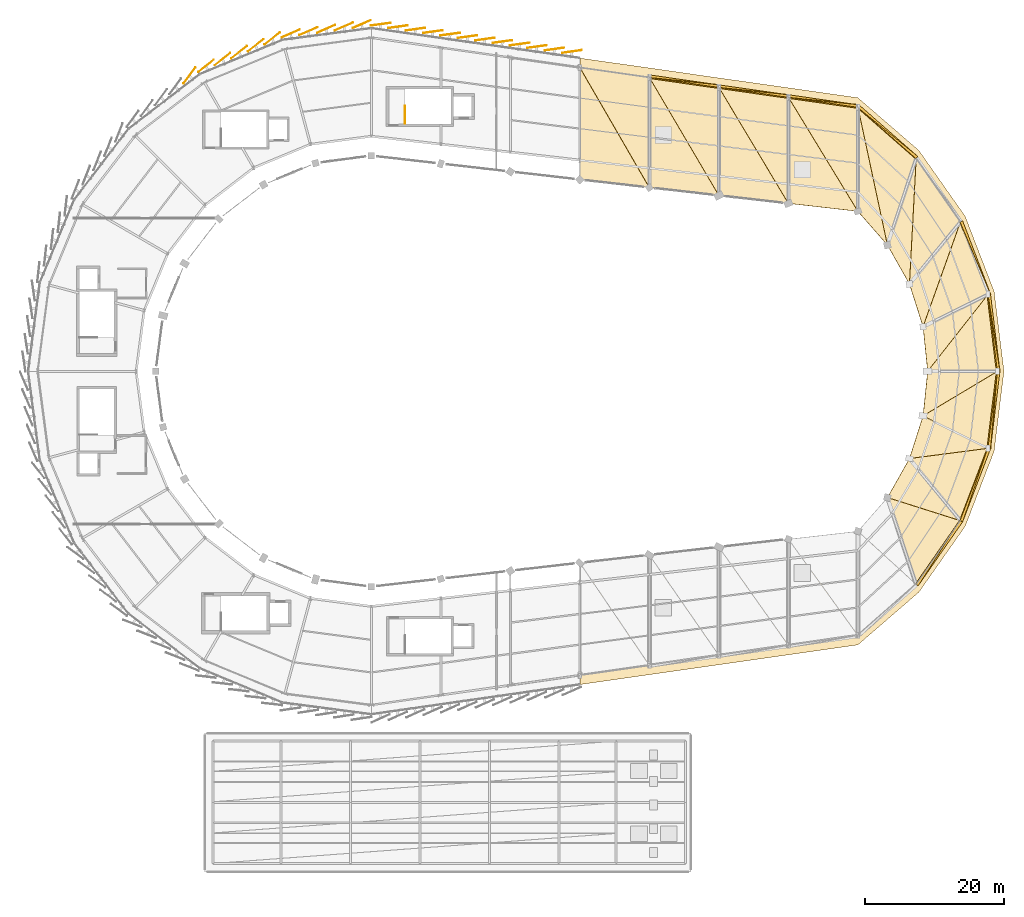
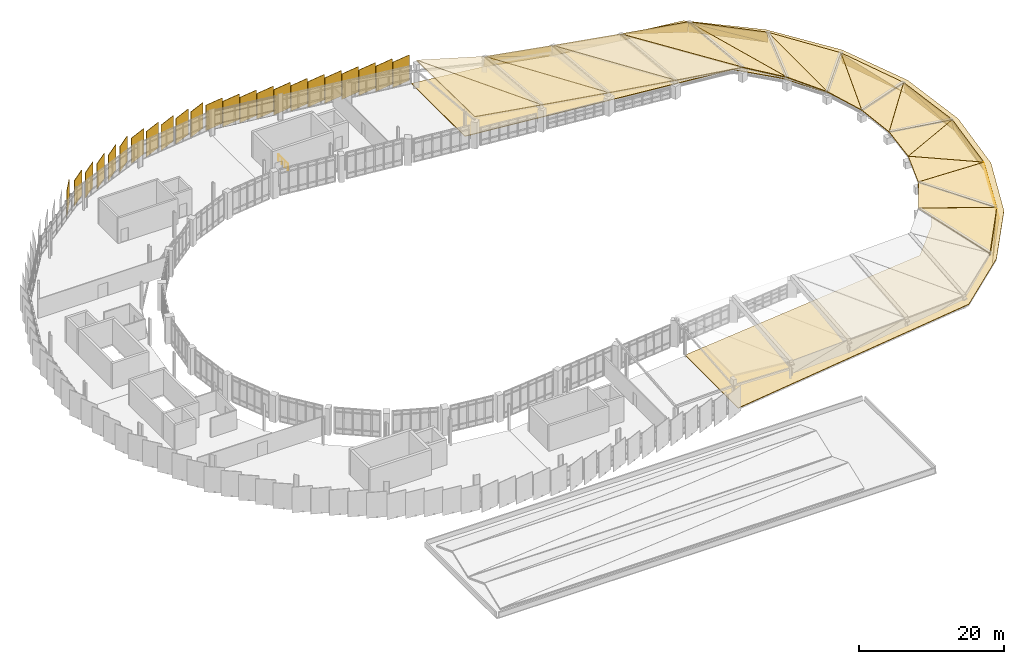
# One storey, part 66 of 67: 63 coverings, 1 railing.
"""IFC4 building model written with IfcOpenShell, lengths in metres."""

from ifc_helpers import new_model, si_unit, direction, frame, origin, origin_2d, place, context, subcontext, project, spatial, polyline, rectangle, circle, outline, extrude, material, layer, layer_set, type_object, element, save


model = new_model("IFC4")

# Units and contexts
model_context = context("Model", 3, precision=1e-05, world=origin(), true_north=direction((0.0, 1.0)))
body_context = subcontext(model_context, "Body", "Model", "MODEL_VIEW")
ifc_project = project(units=[si_unit("LENGTHUNIT", "METRE"), si_unit("AREAUNIT", "SQUARE_METRE"), si_unit("VOLUMEUNIT", "CUBIC_METRE"), si_unit("PLANEANGLEUNIT", "RADIAN"), si_unit("MASSUNIT", "GRAM", prefix="KILO")], contexts=[model_context])

# Site, building, storey
site_placement = place(None, origin())
site = spatial("IfcSite", under=ifc_project, at=site_placement, CompositionType="ELEMENT")
building_placement = place(site_placement, origin())
building = spatial("IfcBuilding", under=site, at=building_placement, Name="Sohan Crest Arena", CompositionType="ELEMENT")
storey_placement = place(building_placement, frame((0.0, 0.0, 22.5)))
storey = spatial("IfcBuildingStorey", under=building, at=storey_placement, Name="L05", CompositionType="ELEMENT", Elevation=22.5)

# Railing
ifc_material_1 = material(Name="Powder-coated wrought steel balustrade", Category="steel")
railing_type = type_object("IfcRailingType", Name="ARC-GRD-01", PredefinedType="GUARDRAIL", material=ifc_material_1)
railing_placement = place(storey_placement, frame((102.8701171875, 113.6201171875, 0.0)))
element("IfcRailing", 1, at=railing_placement, inside=storey, type_object=railing_type, Name="Top stair landing well guard GRD-040", PredefinedType="GUARDRAIL", context=body_context, shape_type="SweptSolid", body=[
    extrude(circle(Radius=0.02392578125, at=origin_2d()), frame((0.0, 0.0, 1.076171875), z_axis=(0.0, 1.0, 0.0), x_axis=(-1.0, 0.0, 0.0)), (0.0, 0.0, 1.0), 2.559814453125),
    extrude(circle(Radius=0.02099609375, at=origin_2d()), origin(), (0.0, 0.0, 1.0), 1.052001953125),
    extrude(circle(Radius=0.02099609375, at=origin_2d()), frame((0.0, 0.853271484375, 0.0)), (0.0, 0.0, 1.0), 1.052001953125),
    extrude(circle(Radius=0.02099609375, at=origin_2d()), frame((0.0, 1.70654296875, 0.0)), (0.0, 0.0, 1.0), 1.052001953125),
    extrude(circle(Radius=0.02099609375, at=origin_2d()), frame((0.0, 2.559814453125, 0.0)), (0.0, 0.0, 1.0), 1.052001953125),
])

# Coverings
ifc_material_2 = material(Name="Elastomeric EPDM waterproofing membrane")
ifc_layer_1 = layer(ifc_material_2, 0.094970703125, Name="Elastomeric EPDM waterproofing membrane")
ifc_layer_set_1 = layer_set([ifc_layer_1], Name="Elastomeric EPDM waterproofing membrane")
covering_type_1 = type_object("IfcCoveringType", Name="COV-RF1", PredefinedType="ROOFING", material=ifc_layer_set_1)
covering_1_placement = place(storey_placement, origin())
element("IfcCovering", 2, at=covering_1_placement, inside=storey, type_object=covering_type_1, Name="East crescent EPDM roof membrane 1", PredefinedType="ROOFING", context=body_context, shape_type="SweptSolid", body=[
    extrude(outline(polyline([(138.0, 121.635986328125), (148.0, 120.20703125), (158.0, 118.779052734375), (168.0, 117.35009765625), (176.76611328125, 109.778076171875), (183.430908203125, 100.304931640625), (187.596923828125, 89.49609375), (189.013916015625, 78.0), (187.596923828125, 66.50390625), (183.430908203125, 55.695068359375), (176.76611328125, 46.221923828125), (168.0, 38.64990234375), (158.0, 37.220947265625), (148.0, 35.79296875), (138.0, 34.364013671875), (128.0, 32.93603515625), (128.0, 47.62890625), (138.0, 48.77099609375), (148.0, 49.9140625), (158.0, 51.056884765625), (168.0, 52.199951171875), (172.9609375, 57.547119140625), (176.674072265625, 63.824951171875), (178.971923828125, 70.748046875), (179.75, 78.0), (178.971923828125, 85.251953125), (176.674072265625, 92.175048828125), (172.9609375, 98.452880859375), (168.0, 103.800048828125), (158.0, 104.943115234375), (148.0, 106.0859375), (138.0, 107.22900390625), (128.0, 108.37109375), (128.0, 123.06396484375), (138.0, 121.635986328125)])), origin(), (0.0, 0.0, 1.0), 0.094970703125),
])
ifc_material_3 = material(Name="Standing-seam insulated acoustic roof liner", Category="aluminium")
ifc_layer_2 = layer(ifc_material_3, 0.114990234375, Name="Standing-seam insulated acoustic roof liner")
ifc_layer_set_2 = layer_set([ifc_layer_2], Name="Standing-seam insulated acoustic roof liner")
covering_type_2 = type_object("IfcCoveringType", Name="COV-RF2", PredefinedType="ROOFING", material=ifc_layer_set_2)
covering_2_placement = place(storey_placement, frame((172.2529296875, 59.8349609375, 1.9560546875), z_axis=(0.127044473524, -0.072955891997, 0.989210361637), x_axis=(0.312665423201, -0.943502699254, -0.109740556019)))
element("IfcCovering", 3, at=covering_2_placement, inside=storey, type_object=covering_type_2, Name="Standing-seam acoustic roof covering RF-CV-089", PredefinedType="ROOFING", context=body_context, shape_type="SweptSolid", body=[
    extrude(outline(polyline([(0.0, 0.0), (13.212537137397105, 4.163336342344337e-16), (6.592906589244414, 8.948767846099404), (0.0, 0.0)])), origin(), (0.0, 0.0, -1.0), 0.114990234375),
])
covering_3_placement = place(storey_placement, frame((172.251953125, 59.847900390625, 1.9560546875), z_axis=(0.13419085241, -0.050640488967, 0.989660727728), x_axis=(0.943290796315, -0.299480056995, -0.143227682557)))
element("IfcCovering", 4, at=covering_3_placement, inside=storey, type_object=covering_type_2, Name="Standing-seam acoustic roof covering RF-CV-090", PredefinedType="ROOFING", context=body_context, shape_type="SweptSolid", body=[
    extrude(outline(polyline([(0.0, 0.0), (11.115456085058442, -1.6653345369377348e-16), (1.325057322286341, 6.291207309504855), (0.0, 0.0)])), origin(), (0.0, 0.0, -1.0), 0.114990234375),
])
covering_4_placement = place(storey_placement, frame((175.4208984375, 65.449951171875, 1.81396484375), z_axis=(0.139105678606, -0.046510890274, 0.989184688147), x_axis=(0.629490340351, -0.766955356358, -0.124584881743)))
element("IfcCovering", 5, at=covering_4_placement, inside=storey, type_object=covering_type_2, Name="Standing-seam acoustic roof covering RF-CV-091", PredefinedType="ROOFING", context=body_context, shape_type="SweptSolid", body=[
    extrude(outline(polyline([(0.0, 0.0), (11.638259406670095, 8.187894806610529e-16), (6.169745842371708, 9.693694946342148), (0.0, 0.0)])), origin(), (0.0, 0.0, -1.0), 0.114990234375),
])
covering_5_placement = place(storey_placement, frame((175.41796875, 65.4599609375, 1.81396484375), z_axis=(0.137414945451, -0.032614371166, 0.989976482327), x_axis=(0.982907424815, 0.128112004155, -0.132213118238)))
element("IfcCovering", 6, at=covering_5_placement, inside=storey, type_object=covering_type_2, Name="Standing-seam acoustic roof covering RF-CV-092", PredefinedType="ROOFING", context=body_context, shape_type="SweptSolid", body=[
    extrude(outline(polyline([(0.0, 0.0), (11.48935135180344, 8.326672684688674e-17), (2.7105351830103515, 5.8298917175561815), (0.0, 0.0)])), origin(), (0.0, 0.0, -1.0), 0.114990234375),
])
covering_6_placement = place(storey_placement, frame((177.3759765625, 71.593994140625, 1.7451171875), z_axis=(0.145314355965, -0.0164987956, 0.989247960672), x_axis=(0.886599188246, -0.441596956746, -0.137600898236)))
element("IfcCovering", 7, at=covering_6_placement, inside=storey, type_object=covering_type_2, Name="Standing-seam acoustic roof covering RF-CV-093", PredefinedType="ROOFING", context=body_context, shape_type="SweptSolid", body=[
    extrude(outline(polyline([(0.0, 0.0), (10.539141321700487, -5.412337245047638e-16), (6.858380404179662, 10.503939218909846), (0.0, 0.0)])), origin(), (0.0, 0.0, -1.0), 0.114990234375),
])
covering_7_placement = place(storey_placement, frame((177.37109375, 71.60205078125, 1.7451171875), z_axis=(0.143007994166, -0.012524142479, 0.989642288638), x_axis=(0.85237273713, 0.509742019122, -0.116720996131)))
element("IfcCovering", 8, at=covering_7_placement, inside=storey, type_object=covering_type_2, Name="Standing-seam acoustic roof covering RF-CV-094", PredefinedType="ROOFING", context=body_context, shape_type="SweptSolid", body=[
    extrude(outline(polyline([(0.0, 0.0), (12.543684312622785, 5.967448757360216e-16), (3.821791461219985, 5.168249805138306), (0.0, 0.0)])), origin(), (0.0, 0.0, -1.0), 0.114990234375),
])
covering_8_placement = place(storey_placement, frame((178.035888671875, 78.007080078125, 1.73095703125), z_axis=(0.143010628063, 0.016217409152, 0.989588275952), x_axis=(0.989718434642, 0.0, -0.143029437983)))
element("IfcCovering", 9, at=covering_8_placement, inside=storey, type_object=covering_type_2, Name="Standing-seam acoustic roof covering RF-CV-095", PredefinedType="ROOFING", context=body_context, shape_type="SweptSolid", body=[
    extrude(outline(polyline([(0.0, 0.0), (10.137431792536582, 0.0), (8.80019137559394, 11.049304665698235), (0.0, 0.0)])), origin(), (0.0, 0.0, -1.0), 0.114990234375),
])
covering_9_placement = place(storey_placement, frame((178.028076171875, 78.011962890625, 1.73095703125), z_axis=(0.147072186577, 0.012943686939, 0.989041067349), x_axis=(0.614803289482, 0.782101404406, -0.101657800825)))
element("IfcCovering", 10, at=covering_9_placement, inside=storey, type_object=covering_type_2, Name="Standing-seam acoustic roof covering RF-CV-096", PredefinedType="ROOFING", context=body_context, shape_type="SweptSolid", body=[
    extrude(outline(polyline([(0.0, 0.0), (14.126167835637661, 3.885780586188048e-16), (4.594835147409044, 4.494928919293455), (0.0, 0.0)])), origin(), (0.0, 0.0, -1.0), 0.114990234375),
])
covering_10_placement = place(storey_placement, frame((177.373046875, 84.419921875, 1.7451171875), z_axis=(0.131912586941, 0.043759610086, 0.99029498935), x_axis=(0.886579361833, 0.441633237728, -0.137612203331)))
element("IfcCovering", 11, at=covering_10_placement, inside=storey, type_object=covering_type_2, Name="Standing-seam acoustic roof covering RF-CV-097", PredefinedType="ROOFING", context=body_context, shape_type="SweptSolid", body=[
    extrude(outline(polyline([(0.0, 0.0), (10.538275511861187, 1.0408340855860843e-16), (11.602885124515277, 11.078532913028361), (0.0, 0.0)])), origin(), (0.0, 0.0, -1.0), 0.114990234375),
])
covering_11_placement = place(storey_placement, frame((177.364990234375, 84.4208984375, 1.7451171875), z_axis=(0.150635534702, 0.036844438695, 0.987902537208), x_axis=(0.335102200818, 0.93824050804, -0.086088698911)))
element("IfcCovering", 12, at=covering_11_placement, inside=storey, type_object=covering_type_2, Name="Standing-seam acoustic roof covering RF-CV-098", PredefinedType="ROOFING", context=body_context, shape_type="SweptSolid", body=[
    extrude(outline(polyline([(0.0, 0.0), (16.042796941877057, 6.38378239159465e-16), (5.088508490530834, 3.929975956371845), (0.0, 0.0)])), origin(), (0.0, 0.0, -1.0), 0.114990234375),
])
covering_12_placement = place(storey_placement, frame((175.4150390625, 90.56298828125, 1.81396484375), z_axis=(0.11636679245, 0.065492229965, 0.991044669745), x_axis=(0.629427009349, 0.767005995694, -0.12459310764)))
element("IfcCovering", 13, at=covering_12_placement, inside=storey, type_object=covering_type_2, Name="Standing-seam acoustic roof covering RF-CV-099", PredefinedType="ROOFING", context=body_context, shape_type="SweptSolid", body=[
    extrude(outline(polyline([(0.0, 0.0), (11.637491024497368, 8.465450562766819e-16), (14.629874956847548, 10.720481416639972), (0.0, 0.0)])), origin(), (0.0, 0.0, -1.0), 0.114990234375),
])
covering_13_placement = place(storey_placement, frame((175.407958984375, 90.56103515625, 1.81396484375), z_axis=(0.155902184306, 0.062982607105, 0.985762496817), x_axis=(0.053586992968, 0.995956194354, -0.072108897596)))
element("IfcCovering", 14, at=covering_13_placement, inside=storey, type_object=covering_type_2, Name="Standing-seam acoustic roof covering RF-CV-100", PredefinedType="ROOFING", context=body_context, shape_type="SweptSolid", body=[
    extrude(outline(polyline([(0.0, 0.0), (18.13730859464871, 1.3877787807814457e-16), (5.395687439441597, 3.496895752218442), (0.0, 0.0)])), origin(), (0.0, 0.0, -1.0), 0.114990234375),
])
covering_14_placement = place(storey_placement, frame((172.242919921875, 96.176025390625, 1.9560546875), z_axis=(0.098946176098, 0.082544877682, 0.991663247985), x_axis=(0.312732107103, 0.9434808934, -0.109738019739)))
element("IfcCovering", 15, at=covering_14_placement, inside=storey, type_object=covering_type_2, Name="Standing-seam acoustic roof covering RF-CV-101", PredefinedType="ROOFING", context=body_context, shape_type="SweptSolid", body=[
    extrude(outline(polyline([(0.0, 0.0), (13.212842507285322, 0.0), (17.496665205659617, 10.275117100667863), (0.0, 0.0)])), origin(), (0.0, 0.0, -1.0), 0.114990234375),
])
covering_15_placement = place(storey_placement, frame((172.237060546875, 96.169921875, 1.9560546875), z_axis=(0.160650369955, 0.095153978163, 0.982413955048), x_axis=(-0.208663091837, 0.976119278135, -0.060422420988)))
element("IfcCovering", 16, at=covering_15_placement, inside=storey, type_object=covering_type_2, Name="Standing-seam acoustic roof covering RF-CV-102", PredefinedType="ROOFING", context=body_context, shape_type="SweptSolid", body=[
    extrude(outline(polyline([(0.0, 0.0), (20.29170957886495, 1.3877787807814457e-16), (5.5916230223062895, 3.1795969057297127), (0.0, 0.0)])), origin(), (0.0, 0.0, -1.0), 0.114990234375),
])
covering_16_placement = place(storey_placement, frame((167.992919921875, 101.02099609375, 2.179931640625), z_axis=(0.075310153774, 0.096132383169, 0.99251546368), x_axis=(0.0, 0.9953420779, -0.096406161434)))
element("IfcCovering", 17, at=covering_16_placement, inside=storey, type_object=covering_type_2, Name="Standing-seam acoustic roof covering RF-CV-103", PredefinedType="ROOFING", context=body_context, shape_type="SweptSolid", body=[
    extrude(outline(polyline([(0.0, 0.0), (15.040025972492286, -1.3877787807814457e-17), (16.399720076890546, 10.008402751055169), (0.0, 0.0)])), origin(), (0.0, 0.0, -1.0), 0.114990234375),
])
covering_17_placement = place(storey_placement, frame((167.987060546875, 101.011962890625, 2.179931640625), z_axis=(0.0723787574, 0.09436771805, 0.992902839792), x_axis=(-0.519453317041, 0.853403930374, -0.043243300501)))
element("IfcCovering", 18, at=covering_17_placement, inside=storey, type_object=covering_type_2, Name="Standing-seam acoustic roof covering RF-CV-104", PredefinedType="ROOFING", context=body_context, shape_type="SweptSolid", body=[
    extrude(outline(polyline([(0.0, 0.0), (19.212468457428773, -3.3306690738754696e-16), (6.13035743133817, 7.981351688256557), (0.0, 0.0)])), origin(), (0.0, 0.0, -1.0), 0.114990234375),
])
covering_18_placement = place(storey_placement, frame((157.992919921875, 102.1640625, 2.799072265625), z_axis=(0.083525334158, 0.094285254241, 0.992035185559), x_axis=(0.0, 0.995513855367, -0.09461587484)))
element("IfcCovering", 19, at=covering_18_placement, inside=storey, type_object=covering_type_2, Name="Standing-seam acoustic roof covering RF-CV-105", PredefinedType="ROOFING", context=body_context, shape_type="SweptSolid", body=[
    extrude(outline(polyline([(0.0, 0.0), (15.324607781949823, 0.0), (16.67657515087426, 10.014976260484362), (0.0, 0.0)])), origin(), (0.0, 0.0, -1.0), 0.114990234375),
])
covering_19_placement = place(storey_placement, frame((157.987060546875, 102.155029296875, 2.799072265625), z_axis=(0.080676165363, 0.092603657975, 0.9924293017), x_axis=(-0.51306015188, 0.85749749588, -0.038305679914)))
element("IfcCovering", 20, at=covering_19_placement, inside=storey, type_object=covering_type_2, Name="Standing-seam acoustic roof covering RF-CV-106", PredefinedType="ROOFING", context=body_context, shape_type="SweptSolid", body=[
    extrude(outline(polyline([(0.0, 0.0), (19.45187212881224, -4.579669976578771e-16), (6.071623581265789, 8.033291391802557), (0.0, 0.0)])), origin(), (0.0, 0.0, -1.0), 0.114990234375),
])
covering_20_placement = place(storey_placement, frame((147.992919921875, 103.30810546875, 3.50390625), z_axis=(0.08944514457, 0.092529783049, 0.991684327476), x_axis=(0.0, 0.995675242745, -0.092902158123)))
element("IfcCovering", 21, at=covering_20_placement, inside=storey, type_object=covering_type_2, Name="Standing-seam acoustic roof covering RF-CV-107", PredefinedType="ROOFING", context=body_context, shape_type="SweptSolid", body=[
    extrude(outline(polyline([(0.0, 0.0), (15.607292674091612, 0.0), (16.955886549104946, 10.02014370954826), (0.0, 0.0)])), origin(), (0.0, 0.0, -1.0), 0.114990234375),
])
covering_21_placement = place(storey_placement, frame((147.987060546875, 103.298095703125, 3.50390625), z_axis=(0.086645577808, 0.090899036073, 0.992083620008), x_axis=(-0.506718541755, 0.861414083458, -0.034671259878)))
element("IfcCovering", 22, at=covering_21_placement, inside=storey, type_object=covering_type_2, Name="Standing-seam acoustic roof covering RF-CV-108", PredefinedType="ROOFING", context=body_context, shape_type="SweptSolid", body=[
    extrude(outline(polyline([(0.0, 0.0), (19.69531336704541, 9.575673587391975e-16), (6.013205923659987, 8.082782559286544), (0.0, 0.0)])), origin(), (0.0, 0.0, -1.0), 0.114990234375),
])
covering_22_placement = place(storey_placement, frame((137.992919921875, 104.450927734375, 4.27099609375), z_axis=(0.207954901006, 0.089247480997, 0.974058338234), x_axis=(0.0, 0.99582873259, -0.091242179652)))
element("IfcCovering", 23, at=covering_22_placement, inside=storey, type_object=covering_type_2, Name="Standing-seam acoustic roof covering RF-CV-109", PredefinedType="ROOFING", context=body_context, shape_type="SweptSolid", body=[
    extrude(outline(polyline([(0.0, 0.0), (15.891237774102104, 0.0), (17.128830472186056, 10.203034984012744), (0.0, 0.0)])), origin(), (0.0, 0.0, -1.0), 0.114990234375),
])
covering_23_placement = place(storey_placement, frame((137.987060546875, 104.44091796875, 4.27099609375), z_axis=(0.083442033132, 0.016503090408, 0.996375970763), x_axis=(-0.500566526354, 0.865258348064, 0.027588834676)))
element("IfcCovering", 24, at=covering_23_placement, inside=storey, type_object=covering_type_2, Name="Standing-seam acoustic roof covering RF-CV-110", PredefinedType="ROOFING", context=body_context, shape_type="SweptSolid", body=[
    extrude(outline(polyline([(0.0, 0.0), (19.937370845472017, -5.759281940243e-16), (6.0046941383265855, 8.093879593520404), (0.0, 0.0)])), origin(), (0.0, 0.0, -1.0), 0.114990234375),
])
ifc_material_4 = material(Name="Glazed ivory trencadis ceramic cladding", Category="masonry")
ifc_layer_3 = layer(ifc_material_4, 0.06494140625, Name="Glazed ivory trencadis ceramic cladding")
ifc_layer_set_3 = layer_set([ifc_layer_3], Name="Glazed ivory trencadis ceramic cladding")
covering_type_3 = type_object("IfcCoveringType", Name="COV-SC-IV", PredefinedType="CLADDING", material=ifc_layer_set_3)
for number, where, z_axis, x_axis, name in (
    (25, (94.069091796875, 127.59912109375, -0.2001953125), (0.0, 0.0, 1.0), (-0.917060074385, -0.398749068925, 0.0), "Rotated trencadis ceramic scale panel SC-0556"),
    (26, (91.513916015625, 127.261962890625, -0.2001953125), (0.0, 0.0, 1.0), (-0.917060074385, -0.398749068925, 0.0), "Rotated trencadis ceramic scale panel SC-0557"),
    (27, (88.9599609375, 126.926025390625, -0.2001953125), (0.0, 0.0, 1.0), (-0.917060074385, -0.398749068925, 0.0), "Rotated trencadis ceramic scale panel SC-0558"),
    (28, (86.405029296875, 126.590087890625, -0.2001953125), (0.0, 0.0, 1.0), (-0.917060074385, -0.398749068925, 0.0), "Rotated trencadis ceramic scale panel SC-0559"),
    (29, (83.74609375, 125.876953125, -0.2001953125), (0.0, 0.0, 1.0), (-0.782608156852, -0.622514636638, 0.0), "Rotated trencadis ceramic scale panel SC-0560"),
    (30, (81.365966796875, 124.89111328125, -0.2001953125), (0.0, 0.0, 1.0), (-0.782608156852, -0.622514636638, 0.0), "Rotated trencadis ceramic scale panel SC-0561"),
    (31, (78.985107421875, 123.905029296875, -0.2001953125), (0.0, 0.0, 1.0), (-0.782608156852, -0.622514636638, 0.0), "Rotated trencadis ceramic scale panel SC-0562"),
    (32, (76.60498046875, 122.9189453125, -0.2001953125), (0.0, 0.0, 1.0), (-0.782608156852, -0.622514636638, 0.0), "Rotated trencadis ceramic scale panel SC-0563"),
    (33, (71.840087890625, 120.556884765625, -0.2001953125), (0.0, 0.0, 1.0), (-0.594822786751, -0.803856860617, 0.0), "Rotated trencadis ceramic scale panel SC-0565"),
    (34, (126.85791015625, 123.9951171875, -0.2001953125), (0.0, 0.0, 1.0), (-0.990509463238, -0.137444546037, 0.0), "Rotated trencadis ceramic scale panel SC-0627"),
    (35, (124.35791015625, 124.35205078125, -0.2001953125), (0.0, 0.0, 1.0), (-0.990509463238, -0.137444546037, 0.0), "Rotated trencadis ceramic scale panel SC-0628"),
    (36, (121.85791015625, 124.708984375, -0.2001953125), (0.0, 0.0, 1.0), (-0.990509463238, -0.137444546037, 0.0), "Rotated trencadis ceramic scale panel SC-0629"),
    (37, (119.35791015625, 125.06689453125, -0.2001953125), (0.0, 0.0, 1.0), (-0.990509463238, -0.137444546037, 0.0), "Rotated trencadis ceramic scale panel SC-0630"),
    (38, (116.85693359375, 125.424072265625, -0.2001953125), (0.0, 0.0, 1.0), (-0.990509463238, -0.137444546037, 0.0), "Rotated trencadis ceramic scale panel SC-0631"),
    (39, (114.35693359375, 125.781005859375, -0.2001953125), (0.0, 0.0, 1.0), (-0.990509463238, -0.137444546037, 0.0), "Rotated trencadis ceramic scale panel SC-0632"),
    (40, (111.85693359375, 126.137939453125, -0.2001953125), (0.0, 0.0, 1.0), (-0.990509463238, -0.137444546037, 0.0), "Rotated trencadis ceramic scale panel SC-0633"),
    (41, (106.85791015625, 126.85205078125, -0.2001953125), (0.0, 0.0, 1.0), (-0.990509463238, -0.137444546037, 0.0), "Rotated trencadis ceramic scale panel SC-0635"),
    (42, (104.35791015625, 127.208984375, -0.2001953125), (0.0, 0.0, 1.0), (-0.990509463238, -0.137444546037, 0.0), "Rotated trencadis ceramic scale panel SC-0636"),
    (43, (99.35791015625, 127.924072265625, -0.2001953125), (0.0, 0.0, 1.0), (-0.990509463238, -0.137444546037, 0.0), "Rotated trencadis ceramic scale panel SC-0638"),
):
    element("IfcCovering", number, at=place(storey_placement, frame(where, z_axis=z_axis, x_axis=x_axis)), inside=storey, type_object=covering_type_3, Name=name, PredefinedType="CLADDING", context=body_context, shape_type="SweptSolid", body=[
        extrude(rectangle(XDim=2.85009765625, YDim=0.06494140625, at=origin_2d()), origin(), (0.0, 0.0, 1.0), 4.300048828125),
    ])
covering_24_placement = place(storey_placement, frame((176.6689453125, 47.154052734375, -1.425048828125), z_axis=(0.80495480678, -0.556477865231, 0.205864383876), x_axis=(0.570811107683, 0.820982894398, -0.012718744144)))
element("IfcCovering", 44, at=covering_24_placement, inside=storey, type_object=covering_type_3, Name="Rising white parabolic roof-edge nose fascia NF-0733", PredefinedType="CLADDING", context=body_context, shape_type="SweptSolid", body=[
    extrude(outline(polyline([(0.0, 0.0), (11.152492849552488, -1.6653345369377348e-16), (11.130537904827003, 1.9413666144009616), (0.0, 0.0)])), origin(), (0.0, 0.0, -1.0), 0.0849609375),
])
covering_25_placement = place(storey_placement, frame((176.6689453125, 47.154052734375, -1.425048828125), z_axis=(0.804961562118, -0.556477465982, 0.205839047235), x_axis=(0.534497752247, 0.830723079121, 0.155599867154)))
element("IfcCovering", 45, at=covering_25_placement, inside=storey, type_object=covering_type_3, Name="Rising white parabolic roof-edge nose fascia NF-0734", PredefinedType="CLADDING", context=body_context, shape_type="SweptSolid", body=[
    extrude(outline(polyline([(0.0, 0.0), (11.298574174748836, 2.220446049250313e-16), (0.31198301180075005, 1.9165022039518278), (0.0, 0.0)])), origin(), (0.0, 0.0, -1.0), 0.0849609375),
])
covering_26_placement = place(storey_placement, frame((183.075927734375, 56.385009765625, -1.56689453125), z_axis=(0.914615397334, -0.347666397768, 0.206414027679), x_axis=(0.356532830054, 0.934262253186, -0.006195431101)))
element("IfcCovering", 46, at=covering_26_placement, inside=storey, type_object=covering_type_3, Name="Rising white parabolic roof-edge nose fascia NF-0735", PredefinedType="CLADDING", context=body_context, shape_type="SweptSolid", body=[
    extrude(outline(polyline([(0.0, 0.0), (11.152056370655126, -4.163336342344337e-17), (11.141507930448004, 1.941689870922123), (0.0, 0.0)])), origin(), (0.0, 0.0, -1.0), 0.0849609375),
])
covering_27_placement = place(storey_placement, frame((183.075927734375, 56.385009765625, -1.56689453125), z_axis=(0.914615397334, -0.347666397768, 0.206414027679), x_axis=(0.318499574835, 0.933997736534, 0.161883442571)))
element("IfcCovering", 47, at=covering_27_placement, inside=storey, type_object=covering_type_3, Name="Rising white parabolic roof-edge nose fascia NF-0736", PredefinedType="CLADDING", context=body_context, shape_type="SweptSolid", body=[
    extrude(outline(polyline([(0.0, 0.0), (11.309436702111974, 0.0), (0.3229722329086424, 1.91466962194588), (0.0, 0.0)])), origin(), (0.0, 0.0, -1.0), 0.0849609375),
])
covering_28_placement = place(storey_placement, frame((187.072021484375, 66.886962890625, -1.635986328125), z_axis=(0.971361529275, -0.118378959329, 0.206017478466), x_axis=(0.121234735792, 0.992623081438, -0.001247811473)))
element("IfcCovering", 48, at=covering_28_placement, inside=storey, type_object=covering_type_3, Name="Rising white parabolic roof-edge nose fascia NF-0737", PredefinedType="CLADDING", context=body_context, shape_type="SweptSolid", body=[
    extrude(outline(polyline([(0.0, 0.0), (11.152338250421082, 3.469446951953614e-17), (11.150550918898887, 1.9415512092902738), (0.0, 0.0)])), origin(), (0.0, 0.0, -1.0), 0.0849609375),
])
covering_29_placement = place(storey_placement, frame((187.072021484375, 66.886962890625, -1.635986328125), z_axis=(0.971361529275, -0.118378959329, 0.206017478466), x_axis=(0.084383369494, 0.98240188656, 0.166631270281)))
element("IfcCovering", 49, at=covering_29_placement, inside=storey, type_object=covering_type_3, Name="Rising white parabolic roof-edge nose fascia NF-0738", PredefinedType="CLADDING", context=body_context, shape_type="SweptSolid", body=[
    extrude(outline(polyline([(0.0, 0.0), (11.318321734835664, -4.440892098500626e-16), (0.3312939369454846, 1.9130783100003135), (0.0, 0.0)])), origin(), (0.0, 0.0, -1.0), 0.0849609375),
])
covering_30_placement = place(storey_placement, frame((188.424072265625, 78.04296875, -1.64990234375), z_axis=(0.971361529275, 0.118378959329, 0.206017478466), x_axis=(-0.121234735792, 0.992623081438, 0.001247811473)))
element("IfcCovering", 50, at=covering_30_placement, inside=storey, type_object=covering_type_3, Name="Rising white parabolic roof-edge nose fascia NF-0739", PredefinedType="CLADDING", context=body_context, shape_type="SweptSolid", body=[
    extrude(outline(polyline([(0.0, 0.0), (11.152338250421082, -3.469446951953614e-17), (11.154125581943275, 1.9415512092902736), (0.0, 0.0)])), origin(), (0.0, 0.0, -1.0), 0.0849609375),
])
covering_31_placement = place(storey_placement, frame((188.424072265625, 78.04296875, -1.64990234375), z_axis=(0.971361529275, 0.118378959329, 0.206017478466), x_axis=(-0.154482213847, 0.973427707631, 0.16903769882)))
element("IfcCovering", 51, at=covering_31_placement, inside=storey, type_object=covering_type_3, Name="Rising white parabolic roof-edge nose fascia NF-0740", PredefinedType="CLADDING", context=body_context, shape_type="SweptSolid", body=[
    extrude(outline(polyline([(0.0, 0.0), (11.321843427466124, 4.440892098500626e-16), (0.3347120319080189, 1.9124832413766404), (0.0, 0.0)])), origin(), (0.0, 0.0, -1.0), 0.0849609375),
])
covering_32_placement = place(storey_placement, frame((187.052001953125, 89.196044921875, -1.635986328125), z_axis=(0.914615397334, 0.347666397768, 0.206414027679), x_axis=(-0.356532830054, 0.934262253186, 0.006195431101)))
element("IfcCovering", 52, at=covering_32_placement, inside=storey, type_object=covering_type_3, Name="Rising white parabolic roof-edge nose fascia NF-0741", PredefinedType="CLADDING", context=body_context, shape_type="SweptSolid", body=[
    extrude(outline(polyline([(0.0, 0.0), (11.152056370655126, 4.163336342344337e-17), (11.16260481086225, 1.941689870922123), (0.0, 0.0)])), origin(), (0.0, 0.0, -1.0), 0.0849609375),
])
covering_33_placement = place(storey_placement, frame((176.612060546875, 108.909912109375, -1.425048828125), z_axis=(0.648437836586, 0.732790851408, 0.206266672482), x_axis=(-0.751544149041, 0.659376737456, 0.0200925395)))
element("IfcCovering", 53, at=covering_33_placement, inside=storey, type_object=covering_type_3, Name="Rising white parabolic roof-edge nose fascia NF-0745", PredefinedType="CLADDING", context=body_context, shape_type="SweptSolid", body=[
    extrude(outline(polyline([(0.0, 0.0), (11.154443356810082, -2.7755575615628914e-17), (11.18971691226166, 1.941341090346434), (0.0, 0.0)])), origin(), (0.0, 0.0, -1.0), 0.0849609375),
])
covering_34_placement = place(storey_placement, frame((176.612060546875, 108.909912109375, -1.425048828125), z_axis=(0.648437599484, 0.732798199988, 0.206241309319), x_axis=(-0.761214759381, 0.620945730718, 0.187025371551)))
element("IfcCovering", 54, at=covering_34_placement, inside=storey, type_object=covering_type_3, Name="Rising white parabolic roof-edge nose fascia NF-0746", PredefinedType="CLADDING", context=body_context, shape_type="SweptSolid", body=[
    extrude(outline(polyline([(0.0, 0.0), (11.356873240712963, 0.0), (0.3666524052185105, 1.9069722632553125), (0.0, 0.0)])), origin(), (0.0, 0.0, -1.0), 0.0849609375),
])
covering_35_placement = place(storey_placement, frame((168.050048828125, 116.345947265625, -1.200927734375), z_axis=(0.150893456868, 0.966943079519, 0.205553510416), x_axis=(-0.988091422574, 0.141193825594, 0.061152630767)))
element("IfcCovering", 55, at=covering_35_placement, inside=storey, type_object=covering_type_3, Name="Rising white parabolic roof-edge nose fascia NF-0747", PredefinedType="CLADDING", context=body_context, shape_type="SweptSolid", body=[
    extrude(outline(polyline([(0.0, 0.0), (10.120521008014903, 0.0), (10.23739422782268, 1.938092220347816), (0.0, 0.0)])), origin(), (0.0, 0.0, -1.0), 0.0849609375),
])
covering_36_placement = place(storey_placement, frame((168.050048828125, 116.345947265625, -1.200927734375), z_axis=(0.150899145708, 0.966936816738, 0.205578793315), x_axis=(-0.965246454781, 0.099233352818, 0.241768532321)))
element("IfcCovering", 56, at=covering_36_placement, inside=storey, type_object=covering_type_3, Name="Rising white parabolic roof-edge nose fascia NF-0748", PredefinedType="CLADDING", context=body_context, shape_type="SweptSolid", body=[
    extrude(outline(polyline([(0.0, 0.0), (10.419234234358582, 0.0), (0.4752809629104172, 1.882296752395855), (0.0, 0.0)])), origin(), (0.0, 0.0, -1.0), 0.0849609375),
])
covering_37_placement = place(storey_placement, frame((158.049072265625, 117.77490234375, -0.58203125), z_axis=(0.152526982263, 0.966723468303, 0.20538075741), x_axis=(-0.987554945883, 0.141020724572, 0.069630338958)))
element("IfcCovering", 57, at=covering_37_placement, inside=storey, type_object=covering_type_3, Name="Rising white parabolic roof-edge nose fascia NF-0749", PredefinedType="CLADDING", context=body_context, shape_type="SweptSolid", body=[
    extrude(outline(polyline([(0.0, 0.0), (10.126018852611331, 0.0), (10.258091709957384, 1.9367979685271595), (0.0, 0.0)])), origin(), (0.0, 0.0, -1.0), 0.0849609375),
])
covering_38_placement = place(storey_placement, frame((158.049072265625, 117.77490234375, -0.58203125), z_axis=(0.152548834353, 0.96670012702, 0.205474372019), x_axis=(-0.96329471072, 0.098972158674, 0.249535192119)))
element("IfcCovering", 58, at=covering_38_placement, inside=storey, type_object=covering_type_3, Name="Rising white parabolic roof-edge nose fascia NF-0750", PredefinedType="CLADDING", context=body_context, shape_type="SweptSolid", body=[
    extrude(outline(polyline([(0.0, 0.0), (10.439331008296811, -4.440892098500626e-16), (0.4891487380357572, 1.8789581394853598), (0.0, 0.0)])), origin(), (0.0, 0.0, -1.0), 0.0849609375),
])
covering_39_placement = place(storey_placement, frame((148.050048828125, 119.202880859375, 0.123046875), z_axis=(0.153890333093, 0.966472303054, 0.205545743837), x_axis=(-0.987100639596, 0.141076346294, 0.075695388403)))
element("IfcCovering", 59, at=covering_39_placement, inside=storey, type_object=covering_type_3, Name="Rising white parabolic roof-edge nose fascia NF-0751", PredefinedType="CLADDING", context=body_context, shape_type="SweptSolid", body=[
    extrude(outline(polyline([(0.0, 0.0), (10.13067928321082, 0.0), (10.275175677082801, 1.9362287045282018), (0.0, 0.0)])), origin(), (0.0, 0.0, -1.0), 0.0849609375),
])
covering_40_placement = place(storey_placement, frame((148.050048828125, 119.202880859375, 0.123046875), z_axis=(0.153867930377, 0.966495767057, 0.205452165387), x_axis=(-0.961851185082, 0.09890764723, 0.255067785256)))
element("IfcCovering", 60, at=covering_40_placement, inside=storey, type_object=covering_type_3, Name="Rising white parabolic roof-edge nose fascia NF-0752", PredefinedType="CLADDING", context=body_context, shape_type="SweptSolid", body=[
    extrude(outline(polyline([(0.0, 0.0), (10.456013427265335, -4.440892098500626e-16), (0.500507084130914, 1.875695309876835), (0.0, 0.0)])), origin(), (0.0, 0.0, -1.0), 0.0849609375),
])
ifc_material_5 = material(Name="Glazed terracotta trencadis ceramic cladding", Category="masonry")
ifc_layer_4 = layer(ifc_material_5, 0.074951171875, Name="Glazed terracotta trencadis ceramic cladding")
ifc_layer_set_4 = layer_set([ifc_layer_4], Name="Glazed terracotta trencadis ceramic cladding")
covering_type_4 = type_object("IfcCoveringType", Name="COV-SC-TC", PredefinedType="CLADDING", material=ifc_layer_set_4)
for number, where, z_axis, x_axis, name in (
    (61, (96.623046875, 127.93505859375, -0.2001953125), (0.0, 0.0, 1.0), (-0.917060074385, -0.398749068925, 0.0), "Rotated trencadis ceramic scale panel SC-0555"),
    (62, (74.22412109375, 121.93310546875, -0.2001953125), (0.0, 0.0, 1.0), (-0.782608156852, -0.622514636638, 0.0), "Rotated trencadis ceramic scale panel SC-0564"),
    (63, (109.35693359375, 126.4951171875, -0.2001953125), (0.0, 0.0, 1.0), (-0.990509463238, -0.137444546037, 0.0), "Rotated trencadis ceramic scale panel SC-0634"),
    (64, (101.85791015625, 127.56591796875, -0.2001953125), (0.0, 0.0, 1.0), (-0.990509463238, -0.137444546037, 0.0), "Rotated trencadis ceramic scale panel SC-0637"),
):
    element("IfcCovering", number, at=place(storey_placement, frame(where, z_axis=z_axis, x_axis=x_axis)), inside=storey, type_object=covering_type_4, Name=name, PredefinedType="CLADDING", context=body_context, shape_type="SweptSolid", body=[
        extrude(rectangle(XDim=2.85009765625, YDim=0.074951171875, at=origin_2d()), origin(), (0.0, 0.0, 1.0), 4.300048828125),
    ])

save(model, "model.ifc")
